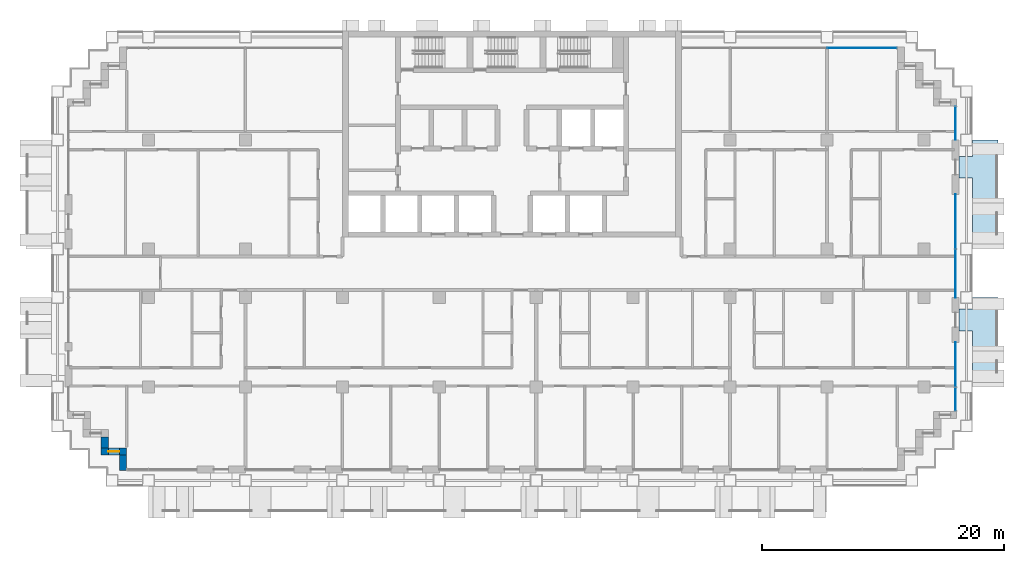
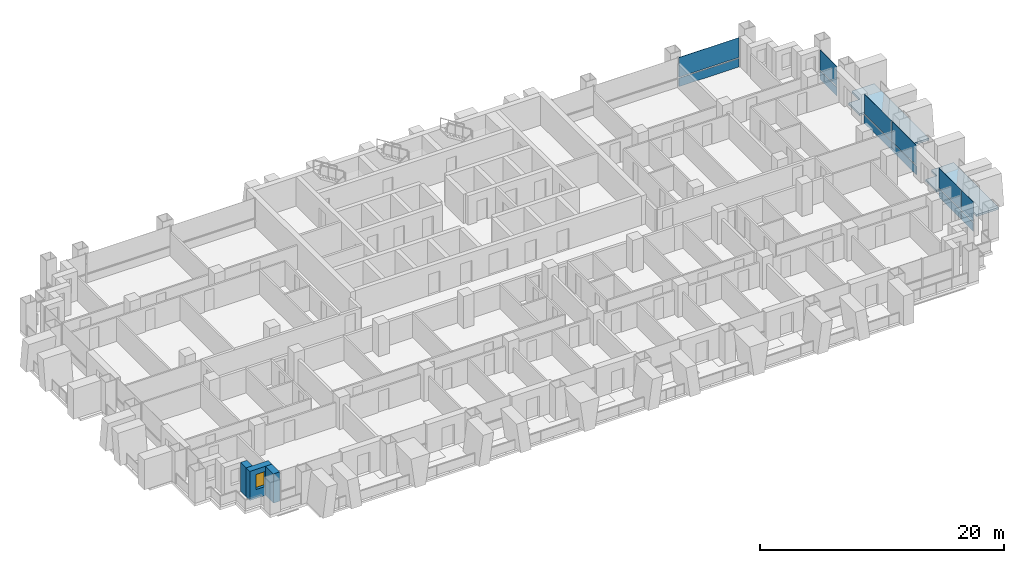
# One storey, part 8 of 18: 12 plates, 3 walls, 2 slabs, 1 window, 1 opening, 4 elements without a shape of their own.
"""IFC4 building model written with IfcOpenShell, lengths in metres."""

from ifc_helpers import new_model, si_unit, direction, frame, frame_2d, origin, origin_2d, place, context, subcontext, project, spatial, polyline, rectangle, outline, extrude, material, layer, layer_set, type_object, element, fill, aggregate, save


model = new_model("IFC4")

# Units and contexts
model_context = context("Model", 3, precision=1e-05, world=origin(), true_north=direction((0.0, 1.0)))
body_context = subcontext(model_context, "Body", "Model", "MODEL_VIEW")
ifc_project = project(units=[si_unit("LENGTHUNIT", "METRE"), si_unit("AREAUNIT", "SQUARE_METRE"), si_unit("VOLUMEUNIT", "CUBIC_METRE"), si_unit("PLANEANGLEUNIT", "RADIAN"), si_unit("MASSUNIT", "GRAM", prefix="KILO")], contexts=[model_context])

# Site, building, storey
site_placement = place(None, origin())
site = spatial("IfcSite", under=ifc_project, at=site_placement, CompositionType="ELEMENT")
building_placement = place(site_placement, origin())
building = spatial("IfcBuilding", under=site, at=building_placement, Name="Vidyagriha Tower", CompositionType="ELEMENT")
storey_placement = place(building_placement, frame((0.0, 0.0, 41.60009765625)))
storey = spatial("IfcBuildingStorey", under=building, at=storey_placement, Name="L10", CompositionType="ELEMENT", Elevation=41.60009765625)

# Curtain wall, plate
ifc_material_1 = material(Name="Aluminium and glass curtain wall", Category="aluminium")
curtain_wall_type = type_object("IfcCurtainWallType", Name="Dwelling skin unitised curtain wall", PredefinedType="USERDEFINED", material=ifc_material_1)
curtain_wall_1_placement = place(storey_placement, origin())
curtain_wall_1 = element("IfcCurtainWall", 1, at=curtain_wall_1_placement, inside=storey, type_object=curtain_wall_type, Name="CW1 dwelling skin", ObjectType="UNITISED", PredefinedType="USERDEFINED")
ifc_material_2 = material(Name="Glass dark ceramic-fritted spandrel", Category="glass")
ifc_layer_1 = layer(ifc_material_2, 0.0400390625)
ifc_layer_set_1 = layer_set([ifc_layer_1], Name="Glass dark ceramic-fritted spandrel")
plate_type_1 = type_object("IfcPlateType", Name="Ceramic-fritted spandrel panel", PredefinedType="CURTAIN_PANEL", material=ifc_layer_set_1)
plate_1_placement = place(storey_placement, frame((28.882568359375, 18.60009765625, -0.000244140625), z_axis=(0.0, 0.0, 1.0), x_axis=(-1.0, 0.0, 0.0)))
plate_1 = element("IfcPlate", 2, at=plate_1_placement, type_object=plate_type_1, Name="CW1 panel 1.1", PredefinedType="CURTAIN_PANEL", context=body_context, shape_type="SweptSolid", body=[
    extrude(rectangle(XDim=5.695068359375, YDim=0.0400390625, at=origin_2d()), origin(), (0.0, 0.0, 1.0), 0.85009765625),
])

# Curtain wall, plates
curtain_wall_2_placement = place(storey_placement, origin())
curtain_wall_2 = element("IfcCurtainWall", 3, at=curtain_wall_2_placement, inside=storey, type_object=curtain_wall_type, Name="CW1 dwelling skin", ObjectType="UNITISED", PredefinedType="USERDEFINED")
plate_2_placement = place(storey_placement, frame((36.60009765625, -10.382568359375, -0.000244140625), z_axis=(0.0, 0.0, 1.0), x_axis=(0.0, 1.0, 0.0)))
plate_2 = element("IfcPlate", 4, at=plate_2_placement, type_object=plate_type_1, Name="CW1 panel 1.1", PredefinedType="CURTAIN_PANEL", context=body_context, shape_type="SweptSolid", body=[
    extrude(rectangle(XDim=1.89501953125, YDim=0.0400390625, at=origin_2d()), origin(), (0.0, 0.0, 1.0), 0.85009765625),
])
plate_3_placement = place(storey_placement, frame((36.60009765625, -7.532470703125, -0.000244140625), z_axis=(0.0, 0.0, 1.0), x_axis=(0.0, 1.0, 0.0)))
plate_3 = element("IfcPlate", 5, at=plate_3_placement, type_object=plate_type_1, Name="CW1 panel 2.1", PredefinedType="CURTAIN_PANEL", context=body_context, shape_type="SweptSolid", body=[
    extrude(rectangle(XDim=3.6650390625, YDim=0.0400390625, at=origin_2d()), origin(), (0.0, 0.0, 1.0), 0.85009765625),
])

# Curtain wall, plate
curtain_wall_3_placement = place(storey_placement, origin())
curtain_wall_3 = element("IfcCurtainWall", 6, at=curtain_wall_3_placement, inside=storey, type_object=curtain_wall_type, Name="CW1 dwelling skin", ObjectType="UNITISED", PredefinedType="USERDEFINED")
plate_4_placement = place(storey_placement, frame((36.60009765625, 12.364990234375, -0.000244140625), z_axis=(0.0, 0.0, 1.0), x_axis=(0.0, 1.0, 0.0)))
plate_4 = element("IfcPlate", 7, at=plate_4_placement, type_object=plate_type_1, Name="CW1 panel 1.1", PredefinedType="CURTAIN_PANEL", context=body_context, shape_type="SweptSolid", body=[
    extrude(rectangle(XDim=2.72998046875, YDim=0.0400390625, at=origin_2d()), origin(), (0.0, 0.0, 1.0), 0.85009765625),
])

# Plate
ifc_material_3 = material(Name="Glass dark ceramic-fritted", Category="glass")
ifc_layer_2 = layer(ifc_material_3, 0.028076171875)
ifc_layer_set_2 = layer_set([ifc_layer_2], Name="Glass dark ceramic-fritted")
plate_type_2 = type_object("IfcPlateType", Name="Dark ceramic-fritted vision glass panel", PredefinedType="CURTAIN_PANEL", material=ifc_layer_set_2)
plate_5_placement = place(storey_placement, frame((28.882568359375, 18.60009765625, 0.94970703125), z_axis=(0.0, 0.0, 1.0), x_axis=(-1.0, 0.0, 0.0)))
plate_5 = element("IfcPlate", 8, at=plate_5_placement, type_object=plate_type_2, Name="CW1 panel 1.2", PredefinedType="CURTAIN_PANEL", context=body_context, shape_type="SweptSolid", body=[
    extrude(rectangle(XDim=5.695068359375, YDim=0.028076171875, at=origin_2d()), origin(), (0.0, 0.0, 1.0), 1.969970703125),
])

aggregate(curtain_wall_1, [plate_1, plate_5])

plate_6_placement = place(storey_placement, frame((36.60009765625, -10.382568359375, 0.94970703125), z_axis=(0.0, 0.0, 1.0), x_axis=(0.0, 1.0, 0.0)))
plate_6 = element("IfcPlate", 9, at=plate_6_placement, type_object=plate_type_2, Name="CW1 panel 1.2", PredefinedType="CURTAIN_PANEL", context=body_context, shape_type="SweptSolid", body=[
    extrude(rectangle(XDim=1.89501953125, YDim=0.028076171875, at=origin_2d()), origin(), (0.0, 0.0, 1.0), 1.969970703125),
])

plate_7_placement = place(storey_placement, frame((36.60009765625, -7.532470703125, 0.94970703125), z_axis=(0.0, 0.0, 1.0), x_axis=(0.0, 1.0, 0.0)))
plate_7 = element("IfcPlate", 10, at=plate_7_placement, type_object=plate_type_2, Name="CW1 panel 2.2", PredefinedType="CURTAIN_PANEL", context=body_context, shape_type="SweptSolid", body=[
    extrude(rectangle(XDim=3.6650390625, YDim=0.028076171875, at=origin_2d()), origin(), (0.0, 0.0, 1.0), 1.969970703125),
])

aggregate(curtain_wall_2, [plate_2, plate_6, plate_3, plate_7])

# Curtain wall, plates
curtain_wall_4_placement = place(storey_placement, origin())
curtain_wall_4 = element("IfcCurtainWall", 11, at=curtain_wall_4_placement, inside=storey, type_object=curtain_wall_type, Name="CW1 dwelling skin", ObjectType="UNITISED", PredefinedType="USERDEFINED")
plate_8_placement = place(storey_placement, frame((36.60009765625, -0.017578125, 0.94970703125), z_axis=(0.0, 0.0, 1.0), x_axis=(0.0, 1.0, 0.0)))
plate_8 = element("IfcPlate", 12, at=plate_8_placement, type_object=plate_type_2, Name="CW1 panel 1.2", PredefinedType="CURTAIN_PANEL", context=body_context, shape_type="SweptSolid", body=[
    extrude(rectangle(XDim=3.965087890625, YDim=0.028076171875, at=origin_2d()), origin(), (0.0, 0.0, 1.0), 1.969970703125),
])
plate_9_placement = place(storey_placement, frame((36.60009765625, 4.267578125, 0.94970703125), z_axis=(0.0, 0.0, 1.0), x_axis=(0.0, 1.0, 0.0)))
plate_9 = element("IfcPlate", 13, at=plate_9_placement, type_object=plate_type_2, Name="CW1 panel 2.2", PredefinedType="CURTAIN_PANEL", context=body_context, shape_type="SweptSolid", body=[
    extrude(rectangle(XDim=4.465087890625, YDim=0.028076171875, at=origin_2d()), origin(), (0.0, 0.0, 1.0), 1.969970703125),
])

# Plate
plate_10_placement = place(storey_placement, frame((36.60009765625, 12.364990234375, 0.94970703125), z_axis=(0.0, 0.0, 1.0), x_axis=(0.0, 1.0, 0.0)))
plate_10 = element("IfcPlate", 14, at=plate_10_placement, type_object=plate_type_2, Name="CW1 panel 1.2", PredefinedType="CURTAIN_PANEL", context=body_context, shape_type="SweptSolid", body=[
    extrude(rectangle(XDim=2.72998046875, YDim=0.028076171875, at=origin_2d()), origin(), (0.0, 0.0, 1.0), 1.969970703125),
])

aggregate(curtain_wall_3, [plate_4, plate_10])

ifc_material_4 = material(Name="Aluminium black anodised", Category="aluminium")
ifc_layer_3 = layer(ifc_material_4, 0.06005859375)
ifc_layer_set_3 = layer_set([ifc_layer_3], Name="Aluminium black anodised")
plate_type_3 = type_object("IfcPlateType", Name="Operable black-metal vent panel", PredefinedType="CURTAIN_PANEL", material=ifc_layer_set_3)
plate_11_placement = place(storey_placement, frame((36.60009765625, -0.017578125, -0.000244140625), z_axis=(0.0, 0.0, 1.0), x_axis=(0.0, 1.0, 0.0)))
plate_11 = element("IfcPlate", 15, at=plate_11_placement, type_object=plate_type_3, Name="CW1 panel 1.1", PredefinedType="CURTAIN_PANEL", context=body_context, shape_type="SweptSolid", body=[
    extrude(rectangle(XDim=3.965087890625, YDim=0.06005859375, at=origin_2d()), origin(), (0.0, 0.0, 1.0), 0.85009765625),
])

plate_12_placement = place(storey_placement, frame((36.60009765625, 4.267578125, -0.000244140625), z_axis=(0.0, 0.0, 1.0), x_axis=(0.0, 1.0, 0.0)))
plate_12 = element("IfcPlate", 16, at=plate_12_placement, type_object=plate_type_3, Name="CW1 panel 2.1", PredefinedType="CURTAIN_PANEL", context=body_context, shape_type="SweptSolid", body=[
    extrude(rectangle(XDim=4.465087890625, YDim=0.06005859375, at=origin_2d()), origin(), (0.0, 0.0, 1.0), 0.85009765625),
])

aggregate(curtain_wall_4, [plate_11, plate_8, plate_12, plate_9])

# Slabs
ifc_material_5 = material(Name="Precast concrete C40/50", Category="concrete")
ifc_layer_4 = layer(ifc_material_5, 0.199951171875)
ifc_layer_set_4 = layer_set([ifc_layer_4], Name="Precast concrete C40/50")
slab_type = type_object("IfcSlabType", Name="Precast balcony slab 200", PredefinedType="USERDEFINED", material=ifc_layer_set_4)
slab_1_placement = place(storey_placement, frame((0.0, 0.0, -0.2001953125)))
element("IfcSlab", 17, at=slab_1_placement, inside=storey, type_object=slab_type, Name="Balcony slab L10 R30.1-1", ObjectType="BALCONY", PredefinedType="USERDEFINED", context=body_context, shape_type="SweptSolid", body=[
    extrude(outline(polyline([(38.0, -4.75), (38.0, -9.39990234375), (40.10009765625, -9.39990234375), (40.10009765625, -2.0), (38.0, -2.0), (38.0, -2.949951171875), (36.89990234375, -2.949951171875), (36.89990234375, -4.75), (38.0, -4.75)])), origin(), (0.0, 0.0, 1.0), 0.2001953125),
])
slab_2_placement = place(storey_placement, frame((0.0, 0.0, -0.2001953125)))
element("IfcSlab", 18, at=slab_2_placement, inside=storey, type_object=slab_type, Name="Balcony slab L10 R30.2-2", ObjectType="BALCONY", PredefinedType="USERDEFINED", context=body_context, shape_type="SweptSolid", body=[
    extrude(outline(polyline([(38.0, 7.85009765625), (38.0, 2.0), (40.10009765625, 2.0), (40.10009765625, 11.0), (38.0, 11.0), (38.0, 9.64990234375), (36.89990234375, 9.64990234375), (36.89990234375, 7.85009765625), (38.0, 7.85009765625)])), origin(), (0.0, 0.0, 1.0), 0.2001953125),
])

# Wall
ifc_material_6 = material(Name="Precast concrete C40/50 with brick facing", Category="concrete")
ifc_layer_5 = layer(ifc_material_6, 0.60009765625)
ifc_layer_set_5 = layer_set([ifc_layer_5], Name="Precast concrete C40/50 with brick facing")
wall_type = type_object("IfcWallType", Name="Brick-faced precast wall 600", PredefinedType="STANDARD", material=ifc_layer_set_5)
wall_1_placement = place(storey_placement, frame((-33.60009765625, -13.5, 0.0), z_axis=(0.0, 0.0, 1.0), x_axis=(0.0, -1.0, 0.0)))
element("IfcWall", 19, at=wall_1_placement, inside=storey, type_object=wall_type, Name="Stepped corner wall L10 R20", PredefinedType="STANDARD", context=body_context, shape_type="SweptSolid", body=[
    extrude(rectangle(XDim=0.89990234375, YDim=0.60009765625, at=frame_2d((0.449951171875, 0.0))), origin(), (0.0, 0.0, 1.0), 2.919921875),
])

# Wall, opening, window
wall_2_placement = place(storey_placement, frame((-33.89990234375, -14.699951171875, 0.0)))
wall_2 = element("IfcWall", 20, at=wall_2_placement, inside=storey, type_object=wall_type, Name="Stepped corner wall L10 R21", PredefinedType="STANDARD", context=body_context, shape_type="SweptSolid", body=[
    extrude(rectangle(XDim=2.099853515625, YDim=0.60009765625, at=frame_2d((1.0498046875, 0.0))), origin(), (0.0, 0.0, 1.0), 2.919921875),
])
opening_placement = place(wall_2_placement, frame((0.60009765625, 0.0, 0.89990234375)))
opening = element("IfcOpeningElement", 21, at=opening_placement, cuts=wall_2, Name="Opening WN1", PredefinedType="OPENING", context=body_context, shape_type="SweptSolid", body=[
    extrude(rectangle(XDim=0.89990234375, YDim=1.5, at=frame_2d((0.449951171875, 0.75))), frame((0.0, 0.31005859375, 0.0), z_axis=(0.0, -1.0, 0.0), x_axis=(1.0, 0.0, 0.0)), (0.0, 0.0, 1.0), 0.6201171875),
])
ifc_material_7 = material(Name="Aluminium and glass window", Category="aluminium")
window_type = type_object("IfcWindowType", Name="Reveal window 900x1500", PartitioningType="NOTDEFINED", PredefinedType="WINDOW", material=ifc_material_7)
window_placement = place(opening_placement, origin())
window = element("IfcWindow", 22, at=window_placement, inside=storey, type_object=window_type, Name="Reveal window L10 R21", OverallHeight=1.5, OverallWidth=0.89990234375, PartitioningType="SINGLE_PANEL", PredefinedType="WINDOW", context=body_context, shape_type="SweptSolid", body=[
    extrude(rectangle(XDim=0.89990234375, YDim=1.5, at=frame_2d((0.449951171875, 0.75))), frame((0.0, 0.030029296875, 0.0), z_axis=(0.0, -1.0, 0.0), x_axis=(1.0, 0.0, 0.0)), (0.0, 0.0, 1.0), 0.06005859375),
])
fill(opening, window)

# Wall
wall_3_placement = place(storey_placement, frame((-32.10009765625, -15.0, 0.0), z_axis=(0.0, 0.0, 1.0), x_axis=(0.0, -1.0, 0.0)))
element("IfcWall", 23, at=wall_3_placement, inside=storey, type_object=wall_type, Name="Stepped corner wall L10 R22", PredefinedType="STANDARD", context=body_context, shape_type="SweptSolid", body=[
    extrude(rectangle(XDim=1.280029296875, YDim=0.60009765625, at=frame_2d((0.64013671875, 0.0))), origin(), (0.0, 0.0, 1.0), 2.919921875),
])

save(model, "model.ifc")
